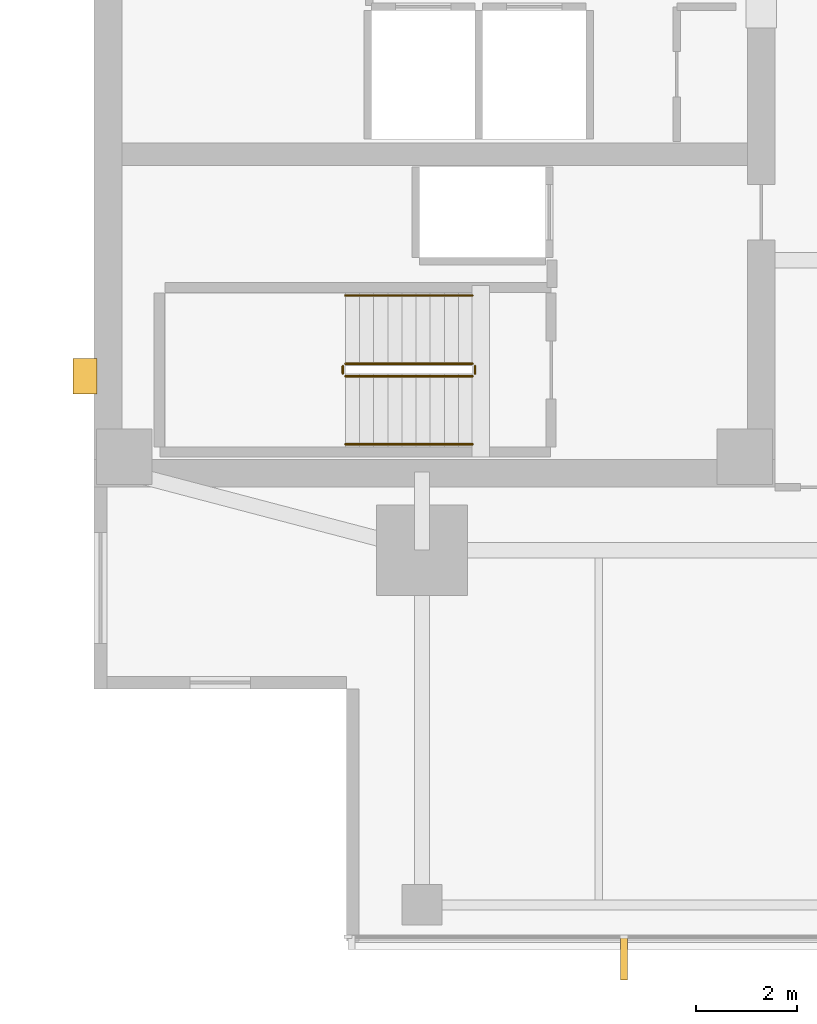
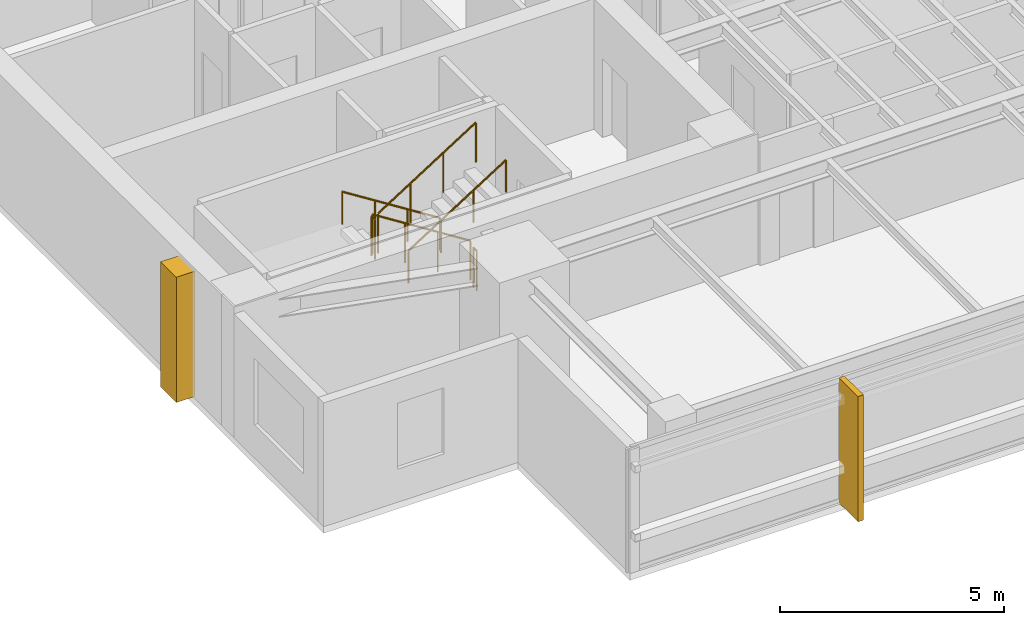
# One storey, part 11 of 14: 6 railings, 2 coverings.
"""IFC4 building model written with IfcOpenShell, lengths in metres."""

from ifc_helpers import new_model, si_unit, direction, frame, origin, origin_2d, place, context, subcontext, project, spatial, polyline, circle, outline, extrude, material, layer, layer_set, type_object, element, save


model = new_model("IFC4")

# Units and contexts
model_context = context("Model", 3, precision=1e-05, world=origin(), true_north=direction((0.0, 1.0)))
body_context = subcontext(model_context, "Body", "Model", "MODEL_VIEW")
ifc_project = project(units=[si_unit("LENGTHUNIT", "METRE"), si_unit("AREAUNIT", "SQUARE_METRE"), si_unit("VOLUMEUNIT", "CUBIC_METRE"), si_unit("PLANEANGLEUNIT", "RADIAN"), si_unit("MASSUNIT", "GRAM", prefix="KILO")], contexts=[model_context])

# Site, building, storey
site_placement = place(None, origin())
site = spatial("IfcSite", under=ifc_project, at=site_placement, CompositionType="ELEMENT")
building_placement = place(site_placement, origin())
building = spatial("IfcBuilding", under=site, at=building_placement, Name="Kinhvarn Gate Tower", CompositionType="ELEMENT")
storey_placement = place(building_placement, frame((0.0, 0.0, 230.64990234375)))
storey = spatial("IfcBuildingStorey", under=building, at=storey_placement, Name="L61", CompositionType="ELEMENT", Elevation=230.64990234375)

# Coverings
ifc_material_1 = material(Name="Fired architectural terracotta", Category="masonry")
ifc_layer_1 = layer(ifc_material_1, 0.139892578125)
ifc_layer_set_1 = layer_set([ifc_layer_1], Name="Fired architectural terracotta")
covering_type_1 = type_object("IfcCoveringType", Name="COV-FIN-850", PredefinedType="CLADDING", material=ifc_layer_set_1)
covering_1_placement = place(storey_placement, frame((0.0, 0.0, -0.02001953125)))
element("IfcCovering", 1, at=covering_1_placement, inside=storey, type_object=covering_type_1, Name="Vertical Terracotta Expressive Fin TFN-850 (L61)", PredefinedType="CLADDING", context=body_context, shape_type="SweptSolid", body=[
    extrude(outline(polyline([(14.929931640625, 5.080078125), (15.070068359375, 5.080078125), (15.070068359375, 4.22998046875), (14.929931640625, 4.22998046875), (14.929931640625, 5.080078125)])), origin(), (0.0, 0.0, 1.0), 3.41015625),
])
ifc_material_2 = material(Name="Precast white architectural concrete C40/50", Category="concrete")
ifc_layer_2 = layer(ifc_material_2, 0.47998046875)
ifc_layer_set_2 = layer_set([ifc_layer_2], Name="Precast white architectural concrete C40/50")
covering_type_2 = type_object("IfcCoveringType", Name="COV-RIB-450", PredefinedType="CLADDING", material=ifc_layer_set_2)
covering_2_placement = place(storey_placement, frame((0.0, 0.0, -0.02001953125)))
element("IfcCovering", 2, at=covering_2_placement, inside=storey, type_object=covering_type_2, Name="West Core Sculptural Concrete Relief Rib CRB-450 (L61)", PredefinedType="CLADDING", context=body_context, shape_type="SweptSolid", body=[
    extrude(outline(polyline([(4.080078125, 15.85009765625), (4.56005859375, 15.85009765625), (4.56005859375, 16.550048828125), (4.080078125, 16.550048828125), (4.080078125, 15.85009765625)])), origin(), (0.0, 0.0, 1.0), 3.41015625),
])

# Railings
ifc_material_3 = material(Name="Steel S355", Category="steel")
railing_type_1 = type_object("IfcRailingType", Name="RL-ST-GRD", PredefinedType="BALUSTRADE", material=ifc_material_3)
railing_1_placement = place(storey_placement, frame((12.0, 16.449951171875, 0.177490234375)))
element("IfcRailing", 3, at=railing_1_placement, inside=storey, type_object=railing_type_1, Name="L61 ST1 stair guard 1", PredefinedType="BALUSTRADE", context=body_context, shape_type="SweptSolid", body=[
    extrude(circle(Radius=0.02392578125, at=origin_2d()), frame((0.0, 0.0, 1.076171875), z_axis=(-0.84456994832, 0.0, 0.535445237532), x_axis=(0.0, -1.0, 0.0)), (0.0, 0.0, 1.0), 2.98388671875),
    extrude(circle(Radius=0.02099609375, at=origin_2d()), origin(), (0.0, 0.0, 1.0), 1.052001953125),
    extrude(circle(Radius=0.02099609375, at=origin_2d()), frame((-0.840087890625, 0.0, 0.532470703125)), (0.0, 0.0, 1.0), 1.052001953125),
    extrude(circle(Radius=0.02099609375, at=origin_2d()), frame((-1.679931640625, 0.0, 1.065185546875)), (0.0, 0.0, 1.0), 1.052001953125),
    extrude(circle(Radius=0.02099609375, at=origin_2d()), frame((-2.52001953125, 0.0, 1.59765625)), (0.0, 0.0, 1.0), 1.052001953125),
])
railing_2_placement = place(storey_placement, frame((9.429931640625, 16.39990234375, 1.775146484375)))
element("IfcRailing", 4, at=railing_2_placement, inside=storey, type_object=railing_type_1, Name="L61 ST1 stair guard 2", PredefinedType="BALUSTRADE", context=body_context, shape_type="SweptSolid", body=[
    extrude(circle(Radius=0.02392578125, at=origin_2d()), frame((0.0, 0.0, 1.076171875), z_axis=(0.0, -1.0, 0.0), x_axis=(1.0, 0.0, 0.0)), (0.0, 0.0, 1.0), 0.14990234375),
    extrude(circle(Radius=0.02099609375, at=origin_2d()), origin(), (0.0, 0.0, 1.0), 1.052001953125),
    extrude(circle(Radius=0.02099609375, at=origin_2d()), frame((0.0, -0.14990234375, 0.0)), (0.0, 0.0, 1.0), 1.052001953125),
])
railing_3_placement = place(storey_placement, frame((9.47998046875, 16.199951171875, 1.95263671875)))
element("IfcRailing", 5, at=railing_3_placement, inside=storey, type_object=railing_type_1, Name="L61 ST1 stair guard 3", PredefinedType="BALUSTRADE", context=body_context, shape_type="SweptSolid", body=[
    extrude(circle(Radius=0.02392578125, at=origin_2d()), frame((0.0, 0.0, 1.076171875), z_axis=(0.84460694969, 0.0, 0.535386869969), x_axis=(0.0, 1.0, 0.0)), (0.0, 0.0, 1.0), 2.983642578125),
    extrude(circle(Radius=0.02099609375, at=origin_2d()), origin(), (0.0, 0.0, 1.0), 1.052001953125),
    extrude(circle(Radius=0.02099609375, at=origin_2d()), frame((0.840087890625, 0.0, 0.532470703125)), (0.0, 0.0, 1.0), 1.052001953125),
    extrude(circle(Radius=0.02099609375, at=origin_2d()), frame((1.679931640625, 0.0, 1.06494140625)), (0.0, 0.0, 1.0), 1.052001953125),
    extrude(circle(Radius=0.02099609375, at=origin_2d()), frame((2.52001953125, 0.0, 1.597412109375)), (0.0, 0.0, 1.0), 1.052001953125),
])
railing_4_placement = place(storey_placement, frame((12.050048828125, 16.39990234375, 0.0)))
element("IfcRailing", 6, at=railing_4_placement, inside=storey, type_object=railing_type_1, Name="L61 ST1 stair guard 4", PredefinedType="BALUSTRADE", context=body_context, shape_type="SweptSolid", body=[
    extrude(circle(Radius=0.02392578125, at=origin_2d()), frame((0.0, 0.0, 1.076171875), z_axis=(0.0, -1.0, 0.0), x_axis=(1.0, 0.0, 0.0)), (0.0, 0.0, 1.0), 0.14990234375),
    extrude(circle(Radius=0.02099609375, at=origin_2d()), origin(), (0.0, 0.0, 1.0), 1.052001953125),
    extrude(circle(Radius=0.02099609375, at=origin_2d()), frame((0.0, -0.14990234375, 0.0)), (0.0, 0.0, 1.0), 1.052001953125),
])
railing_type_2 = type_object("IfcRailingType", Name="RL-ST-HND", PredefinedType="HANDRAIL", material=ifc_material_3)
railing_5_placement = place(storey_placement, frame((12.0, 17.800048828125, 0.177490234375)))
element("IfcRailing", 7, at=railing_5_placement, inside=storey, type_object=railing_type_2, Name="L61 ST1 stair handrail 1", PredefinedType="HANDRAIL", context=body_context, shape_type="SweptSolid", body=[
    extrude(circle(Radius=0.02392578125, at=origin_2d()), frame((0.0, 0.0, 0.8759765625), z_axis=(-0.84456994832, 0.0, 0.535445237532), x_axis=(0.0, -1.0, 0.0)), (0.0, 0.0, 1.0), 2.98388671875),
    extrude(circle(Radius=0.02099609375, at=origin_2d()), origin(), (0.0, 0.0, 1.0), 0.851806640625),
    extrude(circle(Radius=0.02099609375, at=origin_2d()), frame((-0.840087890625, 0.0, 0.532470703125)), (0.0, 0.0, 1.0), 0.851806640625),
    extrude(circle(Radius=0.02099609375, at=origin_2d()), frame((-1.679931640625, 0.0, 1.065185546875)), (0.0, 0.0, 1.0), 0.851806640625),
    extrude(circle(Radius=0.02099609375, at=origin_2d()), frame((-2.52001953125, 0.0, 1.59765625)), (0.0, 0.0, 1.0), 0.851806640625),
])
railing_6_placement = place(storey_placement, frame((9.47998046875, 14.85009765625, 1.95263671875)))
element("IfcRailing", 8, at=railing_6_placement, inside=storey, type_object=railing_type_2, Name="L61 ST1 stair handrail 2", PredefinedType="HANDRAIL", context=body_context, shape_type="SweptSolid", body=[
    extrude(circle(Radius=0.02392578125, at=origin_2d()), frame((0.0, 0.0, 0.8759765625), z_axis=(0.84460694969, 0.0, 0.535386869969), x_axis=(0.0, 1.0, 0.0)), (0.0, 0.0, 1.0), 2.983642578125),
    extrude(circle(Radius=0.02099609375, at=origin_2d()), origin(), (0.0, 0.0, 1.0), 0.851806640625),
    extrude(circle(Radius=0.02099609375, at=origin_2d()), frame((0.840087890625, 0.0, 0.532470703125)), (0.0, 0.0, 1.0), 0.851806640625),
    extrude(circle(Radius=0.02099609375, at=origin_2d()), frame((1.679931640625, 0.0, 1.06494140625)), (0.0, 0.0, 1.0), 0.851806640625),
    extrude(circle(Radius=0.02099609375, at=origin_2d()), frame((2.52001953125, 0.0, 1.597412109375)), (0.0, 0.0, 1.0), 0.851806640625),
])

save(model, "model.ifc")
